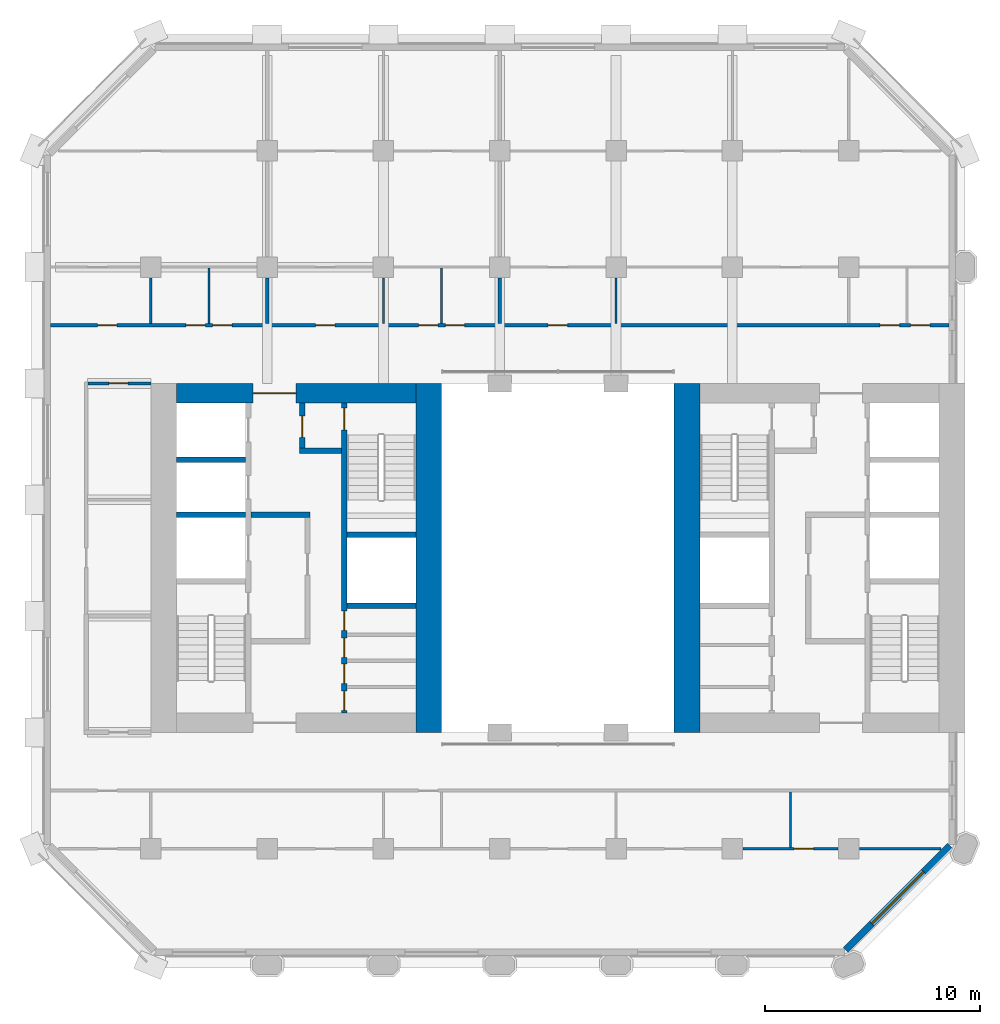
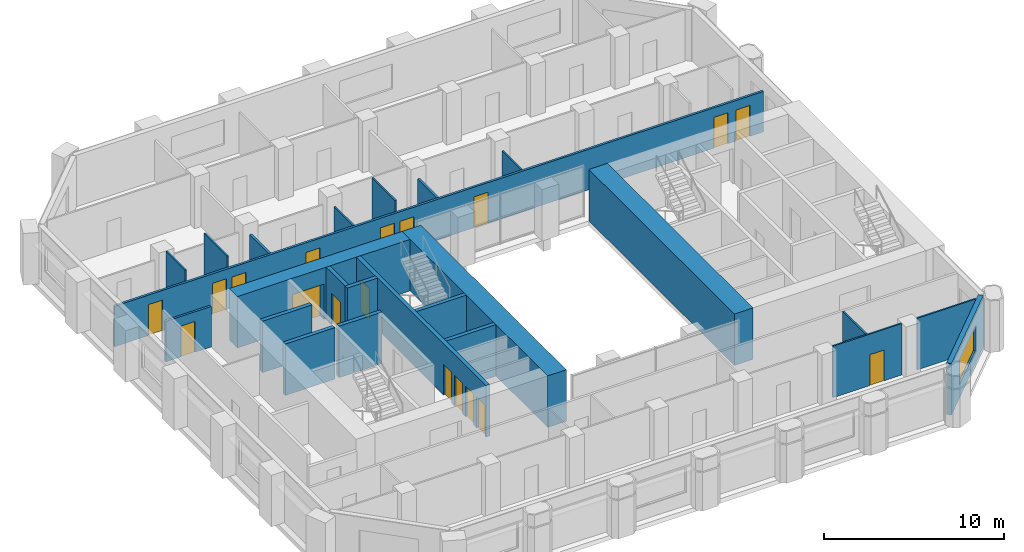
# One storey, part 7 of 13: 24 walls, 18 doors, 1 window, 19 openings.
"""IFC4 building model written with IfcOpenShell, lengths in metres."""

from ifc_helpers import new_model, si_unit, direction, frame, frame_2d, origin, place, context, subcontext, project, spatial, rectangle, extrude, material, layer, layer_set, type_object, element, fill, save


model = new_model("IFC4")

# Units and contexts
model_context = context("Model", 3, precision=1e-05, world=origin(), true_north=direction((0.0, 1.0)))
body_context = subcontext(model_context, "Body", "Model", "MODEL_VIEW")
ifc_project = project(units=[si_unit("LENGTHUNIT", "METRE"), si_unit("AREAUNIT", "SQUARE_METRE"), si_unit("VOLUMEUNIT", "CUBIC_METRE"), si_unit("PLANEANGLEUNIT", "RADIAN"), si_unit("MASSUNIT", "GRAM", prefix="KILO")], contexts=[model_context])

# Site, building, storey
site_placement = place(None, origin())
site = spatial("IfcSite", under=ifc_project, at=site_placement, CompositionType="ELEMENT")
building_placement = place(site_placement, origin())
building = spatial("IfcBuilding", under=site, at=building_placement, Name="Tabaq Tower and Sports Hall", CompositionType="ELEMENT")
storey_placement = place(building_placement, frame((0.0, 0.0, 103.0)))
storey = spatial("IfcBuildingStorey", under=building, at=storey_placement, Name="L24", CompositionType="ELEMENT", Elevation=103.0)

# Walls
ifc_material_1 = material(Name="Concrete C60/75", Category="concrete")
ifc_layer_1 = layer(ifc_material_1, 1.199951171875)
ifc_layer_set_1 = layer_set([ifc_layer_1], Name="Core wall 1200 Concrete C60/75")
wall_type_1 = type_object("IfcWallType", Name="Core wall 1200 Concrete C60/75", PredefinedType="SOLIDWALL", material=ifc_layer_set_1)
for number, where, z_axis, x_axis, name in (
    (1, (18.300048828125, 32.39990234375, 0.0), (0.0, 0.0, 1.0), (0.0, -1.0, 0.0), "Core wall W L24"),
    (2, (30.300048828125, 16.199951171875, 0.0), (0.0, 0.0, 1.0), (0.0, 1.0, 0.0), "Core wall E L24"),
):
    element("IfcWall", number, at=place(storey_placement, frame(where, z_axis=z_axis, x_axis=x_axis)), inside=storey, type_object=wall_type_1, Name=name, PredefinedType="SOLIDWALL", context=body_context, shape_type="SweptSolid", body=[
        extrude(rectangle(XDim=16.199951171875, YDim=1.199951171875, at=frame_2d((8.10009765625, 0.0))), origin(), (0.0, 0.0, 1.0), 3.5),
    ])

# Wall, opening, door
ifc_material_2 = material(Name="Concrete C60/75", Category="concrete")
ifc_layer_2 = layer(ifc_material_2, 0.89990234375)
ifc_layer_set_2 = layer_set([ifc_layer_2], Name="Core wall 900 Concrete C60/75")
wall_type_2 = type_object("IfcWallType", Name="Core wall 900 Concrete C60/75", PredefinedType="SOLIDWALL", material=ifc_layer_set_2)
wall_1_placement = place(storey_placement, frame((6.60009765625, 31.949951171875, 0.0), z_axis=(0.0, 0.0, 1.0), x_axis=(1.0, 0.0, 0.0)))
wall_1 = element("IfcWall", 3, at=wall_1_placement, inside=storey, type_object=wall_type_2, Name="Core wall W L24", PredefinedType="SOLIDWALL", context=body_context, shape_type="SweptSolid", body=[
    extrude(rectangle(XDim=11.099853515625, YDim=0.89990234375, at=frame_2d((5.5498046875, 0.0))), origin(), (0.0, 0.0, 1.0), 3.5),
])
opening_1_placement = place(wall_1_placement, frame((3.550048828125, 0.0, 0.0)))
opening_1 = element("IfcOpeningElement", 4, at=opening_1_placement, cuts=wall_1, Name="Opening PD-WL24-02", PredefinedType="OPENING", context=body_context, shape_type="SweptSolid", body=[
    extrude(rectangle(XDim=2.0, YDim=2.39990234375, at=frame_2d((1.0, 1.199951171875))), frame((0.0, 0.449951171875, 0.0), z_axis=(0.0, -1.0, 0.0), x_axis=(1.0, 0.0, 0.0)), (0.0, 0.0, 1.0), 0.89990234375),
])
ifc_material_3 = material(Name="Steel fire door", Category="steel")
door_type_1 = type_object("IfcDoorType", Name="Core entrance door 2000", OperationType="DOUBLE_DOOR_SINGLE_SWING", PredefinedType="DOOR", material=ifc_material_3)
door_1_placement = place(opening_1_placement, origin())
door_1 = element("IfcDoor", 5, at=door_1_placement, inside=storey, type_object=door_type_1, Name="Core entrance north W L24", OperationType="DOUBLE_DOOR_SINGLE_SWING", OverallHeight=2.39990234375, OverallWidth=2.0, PredefinedType="DOOR", context=body_context, shape_type="SweptSolid", body=[
    extrude(rectangle(XDim=2.0, YDim=2.39990234375, at=frame_2d((1.0, 1.199951171875))), frame((0.0, 0.02490234375, 0.0), z_axis=(0.0, -1.0, 0.0), x_axis=(1.0, 0.0, 0.0)), (0.0, 0.0, 1.0), 0.050048828125),
])
fill(opening_1, door_1)

# Walls
ifc_material_4 = material(Name="Gypsum board on steel studs", Category="steel")
ifc_layer_3 = layer(ifc_material_4, 0.10009765625)
ifc_layer_set_3 = layer_set([ifc_layer_3], Name="Partition 100 Gypsum board")
wall_type_3 = type_object("IfcWallType", Name="Partition 100 Gypsum board", PredefinedType="PARTITIONING", material=ifc_layer_set_3)
wall_2_placement = place(storey_placement, frame((5.39990234375, 35.175048828125, 0.0), z_axis=(0.0, 0.0, 1.0), x_axis=(0.0, 1.0, 0.0)))
element("IfcWall", 6, at=wall_2_placement, inside=storey, type_object=wall_type_3, Name="Partition wall L24", PredefinedType="PARTITIONING", context=body_context, shape_type="SweptSolid", body=[
    extrude(rectangle(XDim=2.1298828125, YDim=0.10009765625, at=frame_2d((1.06494140625, 0.0))), origin(), (0.0, 0.0, 1.0), 3.5),
])
wall_3_placement = place(storey_placement, frame((8.10009765625, 35.175048828125, 0.0), z_axis=(0.0, 0.0, 1.0), x_axis=(0.0, 1.0, 0.0)))
element("IfcWall", 7, at=wall_3_placement, inside=storey, type_object=wall_type_3, Name="Partition wall L24", PredefinedType="PARTITIONING", context=body_context, shape_type="SweptSolid", body=[
    extrude(rectangle(XDim=2.574951171875, YDim=0.10009765625, at=frame_2d((1.28759765625, 0.0))), origin(), (0.0, 0.0, 1.0), 3.5),
])
wall_4_placement = place(storey_placement, frame((16.199951171875, 35.175048828125, 0.0), z_axis=(0.0, 0.0, 1.0), x_axis=(0.0, 1.0, 0.0)))
element("IfcWall", 8, at=wall_4_placement, inside=storey, type_object=wall_type_3, Name="Partition wall L24", PredefinedType="PARTITIONING", context=body_context, shape_type="SweptSolid", body=[
    extrude(rectangle(XDim=2.1298828125, YDim=0.10009765625, at=frame_2d((1.06494140625, 0.0))), origin(), (0.0, 0.0, 1.0), 2.75),
])
wall_5_placement = place(storey_placement, frame((18.89990234375, 35.175048828125, 0.0), z_axis=(0.0, 0.0, 1.0), x_axis=(0.0, 1.0, 0.0)))
element("IfcWall", 9, at=wall_5_placement, inside=storey, type_object=wall_type_3, Name="Partition wall L24", PredefinedType="PARTITIONING", context=body_context, shape_type="SweptSolid", body=[
    extrude(rectangle(XDim=2.574951171875, YDim=0.10009765625, at=frame_2d((1.28759765625, 0.0))), origin(), (0.0, 0.0, 1.0), 3.5),
])
wall_6_placement = place(storey_placement, frame((27.0, 35.175048828125, 0.0), z_axis=(0.0, 0.0, 1.0), x_axis=(0.0, 1.0, 0.0)))
element("IfcWall", 10, at=wall_6_placement, inside=storey, type_object=wall_type_3, Name="Partition wall L24", PredefinedType="PARTITIONING", context=body_context, shape_type="SweptSolid", body=[
    extrude(rectangle(XDim=2.1298828125, YDim=0.10009765625, at=frame_2d((1.06494140625, 0.0))), origin(), (0.0, 0.0, 1.0), 2.75),
])
wall_7_placement = place(storey_placement, frame((35.10009765625, 10.85009765625, 0.0), z_axis=(0.0, 0.0, 1.0), x_axis=(0.0, 1.0, 0.0)))
element("IfcWall", 11, at=wall_7_placement, inside=storey, type_object=wall_type_3, Name="Partition wall L24", PredefinedType="PARTITIONING", context=body_context, shape_type="SweptSolid", body=[
    extrude(rectangle(XDim=2.574951171875, YDim=0.10009765625, at=frame_2d((1.28759765625, 0.0))), origin(), (0.0, 0.0, 1.0), 3.5),
])

# Wall, opening, door
wall_8_placement = place(storey_placement, frame((32.89501953125, 10.800048828125, 0.0), z_axis=(0.0, 0.0, 1.0), x_axis=(1.0, 0.0, 0.0)))
wall_8 = element("IfcWall", 12, at=wall_8_placement, inside=storey, type_object=wall_type_3, Name="Partition wall L24", PredefinedType="PARTITIONING", context=body_context, shape_type="SweptSolid", body=[
    extrude(rectangle(XDim=4.409912109375, YDim=0.10009765625, at=frame_2d((2.205078125, 0.0))), origin(), (0.0, 0.0, 1.0), 3.5),
])
opening_2_placement = place(wall_8_placement, frame((2.375, 0.0, 0.0)))
opening_2 = element("IfcOpeningElement", 13, at=opening_2_placement, cuts=wall_8, Name="Opening L24-021", PredefinedType="OPENING", context=body_context, shape_type="SweptSolid", body=[
    extrude(rectangle(XDim=0.89990234375, YDim=2.10009765625, at=frame_2d((0.449951171875, 1.050048828125))), frame((0.0, 0.050048828125, 0.0), z_axis=(0.0, -1.0, 0.0), x_axis=(1.0, 0.0, 0.0)), (0.0, 0.0, 1.0), 0.10009765625),
])
ifc_material_5 = material(Name="Timber leaf in steel frame", Category="steel")
door_type_2 = type_object("IfcDoorType", Name="Internal door 900 right hand", OperationType="SINGLE_SWING_RIGHT", PredefinedType="DOOR", material=ifc_material_5)
door_2_placement = place(opening_2_placement, origin())
door_2 = element("IfcDoor", 14, at=door_2_placement, inside=storey, type_object=door_type_2, Name="Internal door L24-021", OperationType="SINGLE_SWING_RIGHT", OverallHeight=2.10009765625, OverallWidth=0.89990234375, PredefinedType="DOOR", context=body_context, shape_type="SweptSolid", body=[
    extrude(rectangle(XDim=0.89990234375, YDim=2.10009765625, at=frame_2d((0.449951171875, 1.050048828125))), frame((0.0, 0.02490234375, 0.0), z_axis=(0.0, -1.0, 0.0), x_axis=(1.0, 0.0, 0.0)), (0.0, 0.0, 1.0), 0.050048828125),
])
fill(opening_2, door_2)

# Wall
wall_9_placement = place(storey_placement, frame((38.294921875, 10.800048828125, 0.0), z_axis=(0.0, 0.0, 1.0), x_axis=(1.0, 0.0, 0.0)))
element("IfcWall", 15, at=wall_9_placement, inside=storey, type_object=wall_type_3, Name="Partition wall L24", PredefinedType="PARTITIONING", context=body_context, shape_type="SweptSolid", body=[
    extrude(rectangle(XDim=3.79296875, YDim=0.10009765625, at=frame_2d((1.896484375, 0.0))), origin(), (0.0, 0.0, 1.0), 3.5),
])

# Wall, opening, door
ifc_material_6 = material(Name="Blockwork", Category="masonry")
ifc_layer_4 = layer(ifc_material_6, 0.14990234375)
ifc_layer_set_4 = layer_set([ifc_layer_4], Name="Separating wall 150 Blockwork")
wall_type_4 = type_object("IfcWallType", Name="Separating wall 150 Blockwork", PredefinedType="PARTITIONING", material=ifc_layer_set_4)
wall_10_placement = place(storey_placement, frame((2.47509765625, 32.39990234375, 0.0), z_axis=(0.0, 0.0, 1.0), x_axis=(1.0, 0.0, 0.0)))
wall_10 = element("IfcWall", 16, at=wall_10_placement, inside=storey, type_object=wall_type_4, Name="Separating wall L24", PredefinedType="PARTITIONING", context=body_context, shape_type="SweptSolid", body=[
    extrude(rectangle(XDim=2.9248046875, YDim=0.14990234375, at=frame_2d((1.46240234375, 0.0))), origin(), (0.0, 0.0, 1.0), 2.75),
])
opening_3_placement = place(wall_10_placement, frame((0.97509765625, 0.0, 0.0)))
opening_3 = element("IfcOpeningElement", 17, at=opening_3_placement, cuts=wall_10, Name="Opening L24-010", PredefinedType="OPENING", context=body_context, shape_type="SweptSolid", body=[
    extrude(rectangle(XDim=0.89990234375, YDim=2.10009765625, at=frame_2d((0.449951171875, 1.050048828125))), frame((0.0, 0.074951171875, 0.0), z_axis=(0.0, -1.0, 0.0), x_axis=(1.0, 0.0, 0.0)), (0.0, 0.0, 1.0), 0.14990234375),
])
door_3_placement = place(opening_3_placement, origin())
door_3 = element("IfcDoor", 18, at=door_3_placement, inside=storey, type_object=door_type_2, Name="Internal door L24-010", OperationType="SINGLE_SWING_RIGHT", OverallHeight=2.10009765625, OverallWidth=0.89990234375, PredefinedType="DOOR", context=body_context, shape_type="SweptSolid", body=[
    extrude(rectangle(XDim=0.89990234375, YDim=2.10009765625, at=frame_2d((0.449951171875, 1.050048828125))), frame((0.0, 0.02490234375, 0.0), z_axis=(0.0, -1.0, 0.0), x_axis=(1.0, 0.0, 0.0)), (0.0, 0.0, 1.0), 0.050048828125),
])
fill(opening_3, door_3)

# Wall, openings, doors
wall_11_placement = place(storey_placement, frame((42.448974609375, 35.10009765625, 0.0), z_axis=(0.0, 0.0, 1.0), x_axis=(-1.0, 0.0, 0.0)))
wall_11 = element("IfcWall", 19, at=wall_11_placement, inside=storey, type_object=wall_type_4, Name="Separating wall L24", PredefinedType="PARTITIONING", context=body_context, shape_type="SweptSolid", body=[
    extrude(rectangle(XDim=41.697998046875, YDim=0.14990234375, at=frame_2d((20.84912109375, 0.0))), origin(), (0.0, 0.0, 1.0), 2.75),
])
opening_4_placement = place(wall_11_placement, frame((34.51904296875, 0.0, 0.0)))
opening_4 = element("IfcOpeningElement", 20, at=opening_4_placement, cuts=wall_11, Name="Opening L24-001", PredefinedType="OPENING", context=body_context, shape_type="SweptSolid", body=[
    extrude(rectangle(XDim=0.89990234375, YDim=2.10009765625, at=frame_2d((0.449951171875, 1.050048828125))), frame((0.0, 0.074951171875, 0.0), z_axis=(0.0, -1.0, 0.0), x_axis=(1.0, 0.0, 0.0)), (0.0, 0.0, 1.0), 0.14990234375),
])
opening_5_placement = place(wall_11_placement, frame((33.279052734375, 0.0, 0.0)))
opening_5 = element("IfcOpeningElement", 21, at=opening_5_placement, cuts=wall_11, Name="Opening L24-002", PredefinedType="OPENING", context=body_context, shape_type="SweptSolid", body=[
    extrude(rectangle(XDim=0.89990234375, YDim=2.10009765625, at=frame_2d((0.449951171875, 1.050048828125))), frame((0.0, 0.074951171875, 0.0), z_axis=(0.0, -1.0, 0.0), x_axis=(1.0, 0.0, 0.0)), (0.0, 0.0, 1.0), 0.14990234375),
])
opening_6_placement = place(wall_11_placement, frame((23.718994140625, 0.0, 0.0)))
opening_6 = element("IfcOpeningElement", 22, at=opening_6_placement, cuts=wall_11, Name="Opening L24-003", PredefinedType="OPENING", context=body_context, shape_type="SweptSolid", body=[
    extrude(rectangle(XDim=0.89990234375, YDim=2.10009765625, at=frame_2d((0.449951171875, 1.050048828125))), frame((0.0, 0.074951171875, 0.0), z_axis=(0.0, -1.0, 0.0), x_axis=(1.0, 0.0, 0.0)), (0.0, 0.0, 1.0), 0.14990234375),
])
opening_7_placement = place(wall_11_placement, frame((22.47900390625, 0.0, 0.0)))
opening_7 = element("IfcOpeningElement", 23, at=opening_7_placement, cuts=wall_11, Name="Opening L24-004", PredefinedType="OPENING", context=body_context, shape_type="SweptSolid", body=[
    extrude(rectangle(XDim=0.89990234375, YDim=2.10009765625, at=frame_2d((0.449951171875, 1.050048828125))), frame((0.0, 0.074951171875, 0.0), z_axis=(0.0, -1.0, 0.0), x_axis=(1.0, 0.0, 0.0)), (0.0, 0.0, 1.0), 0.14990234375),
])
opening_8_placement = place(wall_11_placement, frame((2.28662109375, 0.0, 0.0)))
opening_8 = element("IfcOpeningElement", 24, at=opening_8_placement, cuts=wall_11, Name="Opening L24-005", PredefinedType="OPENING", context=body_context, shape_type="SweptSolid", body=[
    extrude(rectangle(XDim=0.89990234375, YDim=2.10009765625, at=frame_2d((0.449951171875, 1.050048828125))), frame((0.0, 0.074951171875, 0.0), z_axis=(0.0, -1.0, 0.0), x_axis=(1.0, 0.0, 0.0)), (0.0, 0.0, 1.0), 0.14990234375),
])
opening_9_placement = place(wall_11_placement, frame((0.87890625, 0.0, 0.0)))
opening_9 = element("IfcOpeningElement", 25, at=opening_9_placement, cuts=wall_11, Name="Opening L24-006", PredefinedType="OPENING", context=body_context, shape_type="SweptSolid", body=[
    extrude(rectangle(XDim=0.89990234375, YDim=2.10009765625, at=frame_2d((0.449951171875, 1.050048828125))), frame((0.0, 0.074951171875, 0.0), z_axis=(0.0, -1.0, 0.0), x_axis=(1.0, 0.0, 0.0)), (0.0, 0.0, 1.0), 0.14990234375),
])
opening_10_placement = place(wall_11_placement, frame((38.6240234375, 0.0, 0.0)))
opening_10 = element("IfcOpeningElement", 26, at=opening_10_placement, cuts=wall_11, Name="Opening L24-022", PredefinedType="OPENING", context=body_context, shape_type="SweptSolid", body=[
    extrude(rectangle(XDim=0.89990234375, YDim=2.10009765625, at=frame_2d((0.449951171875, 1.050048828125))), frame((0.0, 0.074951171875, 0.0), z_axis=(0.0, -1.0, 0.0), x_axis=(1.0, 0.0, 0.0)), (0.0, 0.0, 1.0), 0.14990234375),
])
opening_11_placement = place(wall_11_placement, frame((28.4990234375, 0.0, 0.0)))
opening_11 = element("IfcOpeningElement", 27, at=opening_11_placement, cuts=wall_11, Name="Opening L24-023", PredefinedType="OPENING", context=body_context, shape_type="SweptSolid", body=[
    extrude(rectangle(XDim=0.89990234375, YDim=2.10009765625, at=frame_2d((0.449951171875, 1.050048828125))), frame((0.0, 0.074951171875, 0.0), z_axis=(0.0, -1.0, 0.0), x_axis=(1.0, 0.0, 0.0)), (0.0, 0.0, 1.0), 0.14990234375),
])
opening_12_placement = place(wall_11_placement, frame((17.698974609375, 0.0, 0.0)))
opening_12 = element("IfcOpeningElement", 28, at=opening_12_placement, cuts=wall_11, Name="Opening L24-024", PredefinedType="OPENING", context=body_context, shape_type="SweptSolid", body=[
    extrude(rectangle(XDim=0.89990234375, YDim=2.10009765625, at=frame_2d((0.449951171875, 1.050048828125))), frame((0.0, 0.074951171875, 0.0), z_axis=(0.0, -1.0, 0.0), x_axis=(1.0, 0.0, 0.0)), (0.0, 0.0, 1.0), 0.14990234375),
])
ifc_material_7 = material(Name="Steel fire door", Category="steel")
door_type_3 = type_object("IfcDoorType", Name="Entrance door 900 left hand", OperationType="SINGLE_SWING_LEFT", PredefinedType="DOOR", material=ifc_material_7)
door_4_placement = place(opening_4_placement, origin())
door_4 = element("IfcDoor", 29, at=door_4_placement, inside=storey, type_object=door_type_3, Name="Entrance door L24-001", OperationType="SINGLE_SWING_LEFT", OverallHeight=2.10009765625, OverallWidth=0.89990234375, PredefinedType="DOOR", context=body_context, shape_type="SweptSolid", body=[
    extrude(rectangle(XDim=0.89990234375, YDim=2.10009765625, at=frame_2d((0.449951171875, 1.050048828125))), frame((0.0, 0.02490234375, 0.0), z_axis=(0.0, -1.0, 0.0), x_axis=(1.0, 0.0, 0.0)), (0.0, 0.0, 1.0), 0.050048828125),
])
fill(opening_4, door_4)
door_5_placement = place(opening_5_placement, origin())
door_5 = element("IfcDoor", 30, at=door_5_placement, inside=storey, type_object=door_type_3, Name="Entrance door L24-002", OperationType="SINGLE_SWING_LEFT", OverallHeight=2.10009765625, OverallWidth=0.89990234375, PredefinedType="DOOR", context=body_context, shape_type="SweptSolid", body=[
    extrude(rectangle(XDim=0.89990234375, YDim=2.10009765625, at=frame_2d((0.449951171875, 1.050048828125))), frame((0.0, 0.02490234375, 0.0), z_axis=(0.0, -1.0, 0.0), x_axis=(1.0, 0.0, 0.0)), (0.0, 0.0, 1.0), 0.050048828125),
])
fill(opening_5, door_5)
door_6_placement = place(opening_6_placement, origin())
door_6 = element("IfcDoor", 31, at=door_6_placement, inside=storey, type_object=door_type_3, Name="Entrance door L24-003", OperationType="SINGLE_SWING_LEFT", OverallHeight=2.10009765625, OverallWidth=0.89990234375, PredefinedType="DOOR", context=body_context, shape_type="SweptSolid", body=[
    extrude(rectangle(XDim=0.89990234375, YDim=2.10009765625, at=frame_2d((0.449951171875, 1.050048828125))), frame((0.0, 0.02490234375, 0.0), z_axis=(0.0, -1.0, 0.0), x_axis=(1.0, 0.0, 0.0)), (0.0, 0.0, 1.0), 0.050048828125),
])
fill(opening_6, door_6)
door_7_placement = place(opening_7_placement, origin())
door_7 = element("IfcDoor", 32, at=door_7_placement, inside=storey, type_object=door_type_3, Name="Entrance door L24-004", OperationType="SINGLE_SWING_LEFT", OverallHeight=2.10009765625, OverallWidth=0.89990234375, PredefinedType="DOOR", context=body_context, shape_type="SweptSolid", body=[
    extrude(rectangle(XDim=0.89990234375, YDim=2.10009765625, at=frame_2d((0.449951171875, 1.050048828125))), frame((0.0, 0.02490234375, 0.0), z_axis=(0.0, -1.0, 0.0), x_axis=(1.0, 0.0, 0.0)), (0.0, 0.0, 1.0), 0.050048828125),
])
fill(opening_7, door_7)
door_8_placement = place(opening_8_placement, origin())
door_8 = element("IfcDoor", 33, at=door_8_placement, inside=storey, type_object=door_type_3, Name="Entrance door L24-005", OperationType="SINGLE_SWING_LEFT", OverallHeight=2.10009765625, OverallWidth=0.89990234375, PredefinedType="DOOR", context=body_context, shape_type="SweptSolid", body=[
    extrude(rectangle(XDim=0.89990234375, YDim=2.10009765625, at=frame_2d((0.449951171875, 1.050048828125))), frame((0.0, 0.02490234375, 0.0), z_axis=(0.0, -1.0, 0.0), x_axis=(1.0, 0.0, 0.0)), (0.0, 0.0, 1.0), 0.050048828125),
])
fill(opening_8, door_8)
door_9_placement = place(opening_9_placement, origin())
door_9 = element("IfcDoor", 34, at=door_9_placement, inside=storey, type_object=door_type_3, Name="Entrance door L24-006", OperationType="SINGLE_SWING_LEFT", OverallHeight=2.10009765625, OverallWidth=0.89990234375, PredefinedType="DOOR", context=body_context, shape_type="SweptSolid", body=[
    extrude(rectangle(XDim=0.89990234375, YDim=2.10009765625, at=frame_2d((0.449951171875, 1.050048828125))), frame((0.0, 0.02490234375, 0.0), z_axis=(0.0, -1.0, 0.0), x_axis=(1.0, 0.0, 0.0)), (0.0, 0.0, 1.0), 0.050048828125),
])
fill(opening_9, door_9)
door_10_placement = place(opening_10_placement, origin())
door_10 = element("IfcDoor", 35, at=door_10_placement, inside=storey, type_object=door_type_3, Name="Entrance door L24-022", OperationType="SINGLE_SWING_LEFT", OverallHeight=2.10009765625, OverallWidth=0.89990234375, PredefinedType="DOOR", context=body_context, shape_type="SweptSolid", body=[
    extrude(rectangle(XDim=0.89990234375, YDim=2.10009765625, at=frame_2d((0.449951171875, 1.050048828125))), frame((0.0, 0.02490234375, 0.0), z_axis=(0.0, -1.0, 0.0), x_axis=(1.0, 0.0, 0.0)), (0.0, 0.0, 1.0), 0.050048828125),
])
fill(opening_10, door_10)
door_11_placement = place(opening_11_placement, origin())
door_11 = element("IfcDoor", 36, at=door_11_placement, inside=storey, type_object=door_type_3, Name="Entrance door L24-023", OperationType="SINGLE_SWING_LEFT", OverallHeight=2.10009765625, OverallWidth=0.89990234375, PredefinedType="DOOR", context=body_context, shape_type="SweptSolid", body=[
    extrude(rectangle(XDim=0.89990234375, YDim=2.10009765625, at=frame_2d((0.449951171875, 1.050048828125))), frame((0.0, 0.02490234375, 0.0), z_axis=(0.0, -1.0, 0.0), x_axis=(1.0, 0.0, 0.0)), (0.0, 0.0, 1.0), 0.050048828125),
])
fill(opening_11, door_11)
door_12_placement = place(opening_12_placement, origin())
door_12 = element("IfcDoor", 37, at=door_12_placement, inside=storey, type_object=door_type_3, Name="Entrance door L24-024", OperationType="SINGLE_SWING_LEFT", OverallHeight=2.10009765625, OverallWidth=0.89990234375, PredefinedType="DOOR", context=body_context, shape_type="SweptSolid", body=[
    extrude(rectangle(XDim=0.89990234375, YDim=2.10009765625, at=frame_2d((0.449951171875, 1.050048828125))), frame((0.0, 0.02490234375, 0.0), z_axis=(0.0, -1.0, 0.0), x_axis=(1.0, 0.0, 0.0)), (0.0, 0.0, 1.0), 0.050048828125),
])
fill(opening_12, door_12)

# Walls
for number, where, z_axis, x_axis, name in (
    (38, (10.800048828125, 35.175048828125, 0.0), (0.0, 0.0, 1.0), (0.0, 1.0, 0.0), "Separating wall L24"),
    (39, (21.60009765625, 35.175048828125, 0.0), (0.0, 0.0, 1.0), (0.0, 1.0, 0.0), "Separating wall L24"),
):
    element("IfcWall", number, at=place(storey_placement, frame(where, z_axis=z_axis, x_axis=x_axis)), inside=storey, type_object=wall_type_4, Name=name, PredefinedType="PARTITIONING", context=body_context, shape_type="SweptSolid", body=[
        extrude(rectangle(XDim=2.1298828125, YDim=0.14990234375, at=frame_2d((1.06494140625, 0.0))), origin(), (0.0, 0.0, 1.0), 2.75),
    ])

# Wall, openings, doors
ifc_material_8 = material(Name="Concrete C40/50", Category="concrete")
ifc_layer_5 = layer(ifc_material_8, 0.25)
ifc_layer_set_5 = layer_set([ifc_layer_5], Name="Shaft and stair wall 250 Concrete C40/50")
wall_type_5 = type_object("IfcWallType", Name="Shaft and stair wall 250 Concrete C40/50", PredefinedType="SOLIDWALL", material=ifc_layer_set_5)
wall_12_placement = place(storey_placement, frame((14.375, 17.10009765625, 0.0), z_axis=(0.0, 0.0, 1.0), x_axis=(0.0, 1.0, 0.0)))
wall_12 = element("IfcWall", 40, at=wall_12_placement, inside=storey, type_object=wall_type_5, Name="Shaft wall W L24", PredefinedType="SOLIDWALL", context=body_context, shape_type="SweptSolid", body=[
    extrude(rectangle(XDim=14.39990234375, YDim=0.25, at=frame_2d((7.199951171875, 0.0))), origin(), (0.0, 0.0, 1.0), 3.5),
])
opening_13_placement = place(wall_12_placement, frame((13.14990234375, 0.0, 0.0)))
opening_13 = element("IfcOpeningElement", 41, at=opening_13_placement, cuts=wall_12, Name="Opening SD-WL24-05", PredefinedType="OPENING", context=body_context, shape_type="SweptSolid", body=[
    extrude(rectangle(XDim=1.0, YDim=2.10009765625, at=frame_2d((0.5, 1.050048828125))), frame((0.0, 0.125, 0.0), z_axis=(0.0, -1.0, 0.0), x_axis=(1.0, 0.0, 0.0)), (0.0, 0.0, 1.0), 0.25),
])
opening_14_placement = place(wall_12_placement, frame((0.118408203125, 0.0, 0.0)))
opening_14 = element("IfcOpeningElement", 42, at=opening_14_placement, cuts=wall_12, Name="Opening RD-WL24-10", PredefinedType="OPENING", context=body_context, shape_type="SweptSolid", body=[
    extrude(rectangle(XDim=0.89990234375, YDim=2.10009765625, at=frame_2d((0.449951171875, 1.050048828125))), frame((0.0, 0.125, 0.0), z_axis=(0.0, -1.0, 0.0), x_axis=(1.0, 0.0, 0.0)), (0.0, 0.0, 1.0), 0.25),
])
opening_15_placement = place(wall_12_placement, frame((1.368408203125, 0.0, 0.0)))
opening_15 = element("IfcOpeningElement", 43, at=opening_15_placement, cuts=wall_12, Name="Opening RD-WL24-11", PredefinedType="OPENING", context=body_context, shape_type="SweptSolid", body=[
    extrude(rectangle(XDim=0.89990234375, YDim=2.10009765625, at=frame_2d((0.449951171875, 1.050048828125))), frame((0.0, 0.125, 0.0), z_axis=(0.0, -1.0, 0.0), x_axis=(1.0, 0.0, 0.0)), (0.0, 0.0, 1.0), 0.25),
])
opening_16_placement = place(wall_12_placement, frame((2.5810546875, 0.0, 0.0)))
opening_16 = element("IfcOpeningElement", 44, at=opening_16_placement, cuts=wall_12, Name="Opening RD-WL24-12", PredefinedType="OPENING", context=body_context, shape_type="SweptSolid", body=[
    extrude(rectangle(XDim=0.89990234375, YDim=2.10009765625, at=frame_2d((0.449951171875, 1.050048828125))), frame((0.0, 0.125, 0.0), z_axis=(0.0, -1.0, 0.0), x_axis=(1.0, 0.0, 0.0)), (0.0, 0.0, 1.0), 0.25),
])
opening_17_placement = place(wall_12_placement, frame((3.8310546875, 0.0, 0.0)))
opening_17 = element("IfcOpeningElement", 45, at=opening_17_placement, cuts=wall_12, Name="Opening RD-WL24-13", PredefinedType="OPENING", context=body_context, shape_type="SweptSolid", body=[
    extrude(rectangle(XDim=0.89990234375, YDim=2.10009765625, at=frame_2d((0.449951171875, 1.050048828125))), frame((0.0, 0.125, 0.0), z_axis=(0.0, -1.0, 0.0), x_axis=(1.0, 0.0, 0.0)), (0.0, 0.0, 1.0), 0.25),
])
ifc_material_9 = material(Name="Steel fire door", Category="steel")
door_type_4 = type_object("IfcDoorType", Name="Core room door 900", OperationType="SINGLE_SWING_LEFT", PredefinedType="DOOR", material=ifc_material_9)
door_13_placement = place(opening_14_placement, origin())
door_13 = element("IfcDoor", 46, at=door_13_placement, inside=storey, type_object=door_type_4, Name="Door Cleaner's Store W L24", OperationType="SINGLE_SWING_LEFT", OverallHeight=2.10009765625, OverallWidth=0.89990234375, PredefinedType="DOOR", context=body_context, shape_type="SweptSolid", body=[
    extrude(rectangle(XDim=0.89990234375, YDim=2.10009765625, at=frame_2d((0.449951171875, 1.050048828125))), frame((0.0, 0.02490234375, 0.0), z_axis=(0.0, -1.0, 0.0), x_axis=(1.0, 0.0, 0.0)), (0.0, 0.0, 1.0), 0.050048828125),
])
fill(opening_14, door_13)
door_14_placement = place(opening_15_placement, origin())
door_14 = element("IfcDoor", 47, at=door_14_placement, inside=storey, type_object=door_type_4, Name="Door Gents WC W L24", OperationType="SINGLE_SWING_LEFT", OverallHeight=2.10009765625, OverallWidth=0.89990234375, PredefinedType="DOOR", context=body_context, shape_type="SweptSolid", body=[
    extrude(rectangle(XDim=0.89990234375, YDim=2.10009765625, at=frame_2d((0.449951171875, 1.050048828125))), frame((0.0, 0.02490234375, 0.0), z_axis=(0.0, -1.0, 0.0), x_axis=(1.0, 0.0, 0.0)), (0.0, 0.0, 1.0), 0.050048828125),
])
fill(opening_15, door_14)
door_15_placement = place(opening_16_placement, origin())
door_15 = element("IfcDoor", 48, at=door_15_placement, inside=storey, type_object=door_type_4, Name="Door Ladies WC W L24", OperationType="SINGLE_SWING_LEFT", OverallHeight=2.10009765625, OverallWidth=0.89990234375, PredefinedType="DOOR", context=body_context, shape_type="SweptSolid", body=[
    extrude(rectangle(XDim=0.89990234375, YDim=2.10009765625, at=frame_2d((0.449951171875, 1.050048828125))), frame((0.0, 0.02490234375, 0.0), z_axis=(0.0, -1.0, 0.0), x_axis=(1.0, 0.0, 0.0)), (0.0, 0.0, 1.0), 0.050048828125),
])
fill(opening_16, door_15)
door_16_placement = place(opening_17_placement, origin())
door_16 = element("IfcDoor", 49, at=door_16_placement, inside=storey, type_object=door_type_4, Name="Door Accessible WC W L24", OperationType="SINGLE_SWING_LEFT", OverallHeight=2.10009765625, OverallWidth=0.89990234375, PredefinedType="DOOR", context=body_context, shape_type="SweptSolid", body=[
    extrude(rectangle(XDim=0.89990234375, YDim=2.10009765625, at=frame_2d((0.449951171875, 1.050048828125))), frame((0.0, 0.02490234375, 0.0), z_axis=(0.0, -1.0, 0.0), x_axis=(1.0, 0.0, 0.0)), (0.0, 0.0, 1.0), 0.050048828125),
])
fill(opening_17, door_16)
ifc_material_10 = material(Name="Steel fire door", Category="steel")
door_type_5 = type_object("IfcDoorType", Name="Stair door 1000", OperationType="SINGLE_SWING_LEFT", PredefinedType="DOOR", material=ifc_material_10)
door_17_placement = place(opening_13_placement, origin())
door_17 = element("IfcDoor", 50, at=door_17_placement, inside=storey, type_object=door_type_5, Name="Stair door ST2 W L24", OperationType="SINGLE_SWING_LEFT", OverallHeight=2.10009765625, OverallWidth=1.0, PredefinedType="DOOR", context=body_context, shape_type="SweptSolid", body=[
    extrude(rectangle(XDim=1.0, YDim=2.10009765625, at=frame_2d((0.5, 1.050048828125))), frame((0.0, 0.02490234375, 0.0), z_axis=(0.0, -1.0, 0.0), x_axis=(1.0, 0.0, 0.0)), (0.0, 0.0, 1.0), 0.050048828125),
])
fill(opening_13, door_17)

# Walls
for number, where, z_axis, x_axis, name in (
    (51, (14.5, 25.375, 0.0), (0.0, 0.0, 1.0), (1.0, 0.0, 0.0), "Stair enclosure wall W L24"),
    (52, (14.5, 22.074951171875, 0.0), (0.0, 0.0, 1.0), (1.0, 0.0, 0.0), "Shaft wall W L24"),
    (53, (6.60009765625, 26.300048828125, 0.0), (0.0, 0.0, 1.0), (1.0, 0.0, 0.0), "Shaft wall W L24"),
):
    element("IfcWall", number, at=place(storey_placement, frame(where, z_axis=z_axis, x_axis=x_axis)), inside=storey, type_object=wall_type_5, Name=name, PredefinedType="SOLIDWALL", context=body_context, shape_type="SweptSolid", body=[
        extrude(rectangle(XDim=3.199951171875, YDim=0.25, at=frame_2d((1.60009765625, 0.0))), origin(), (0.0, 0.0, 1.0), 3.5),
    ])
wall_13_placement = place(storey_placement, frame((10.050048828125, 26.300048828125, 0.0), z_axis=(0.0, 0.0, 1.0), x_axis=(1.0, 0.0, 0.0)))
element("IfcWall", 54, at=wall_13_placement, inside=storey, type_object=wall_type_5, Name="Fire-fighting lobby wall W L24", PredefinedType="SOLIDWALL", context=body_context, shape_type="SweptSolid", body=[
    extrude(rectangle(XDim=2.75, YDim=0.25, at=frame_2d((1.375, 0.0))), origin(), (0.0, 0.0, 1.0), 3.5),
])

# Wall, opening, door
wall_14_placement = place(storey_placement, frame((12.425048828125, 29.39990234375, 0.0), z_axis=(0.0, 0.0, 1.0), x_axis=(0.0, 1.0, 0.0)))
wall_14 = element("IfcWall", 55, at=wall_14_placement, inside=storey, type_object=wall_type_5, Name="Fire-fighting lobby wall W L24", PredefinedType="SOLIDWALL", context=body_context, shape_type="SweptSolid", body=[
    extrude(rectangle(XDim=2.10009765625, YDim=0.25, at=frame_2d((1.050048828125, 0.0))), origin(), (0.0, 0.0, 1.0), 3.5),
])
opening_18_placement = place(wall_14_placement, frame((0.5, 0.0, 0.0)))
opening_18 = element("IfcOpeningElement", 56, at=opening_18_placement, cuts=wall_14, Name="Opening FD-WL24-06", PredefinedType="OPENING", context=body_context, shape_type="SweptSolid", body=[
    extrude(rectangle(XDim=1.0, YDim=2.10009765625, at=frame_2d((0.5, 1.050048828125))), frame((0.0, 0.125, 0.0), z_axis=(0.0, -1.0, 0.0), x_axis=(1.0, 0.0, 0.0)), (0.0, 0.0, 1.0), 0.25),
])
ifc_material_11 = material(Name="Steel fire door", Category="steel")
door_type_6 = type_object("IfcDoorType", Name="Fire-fighting lobby door 1000", OperationType="SINGLE_SWING_LEFT", PredefinedType="DOOR", material=ifc_material_11)
door_18_placement = place(opening_18_placement, origin())
door_18 = element("IfcDoor", 57, at=door_18_placement, inside=storey, type_object=door_type_6, Name="Stair lobby door W L24", OperationType="SINGLE_SWING_LEFT", OverallHeight=2.10009765625, OverallWidth=1.0, PredefinedType="DOOR", context=body_context, shape_type="SweptSolid", body=[
    extrude(rectangle(XDim=1.0, YDim=2.10009765625, at=frame_2d((0.5, 1.050048828125))), frame((0.0, 0.02490234375, 0.0), z_axis=(0.0, -1.0, 0.0), x_axis=(1.0, 0.0, 0.0)), (0.0, 0.0, 1.0), 0.050048828125),
])
fill(opening_18, door_18)

# Walls
wall_15_placement = place(storey_placement, frame((12.300048828125, 29.27490234375, 0.0), z_axis=(0.0, 0.0, 1.0), x_axis=(1.0, 0.0, 0.0)))
element("IfcWall", 58, at=wall_15_placement, inside=storey, type_object=wall_type_5, Name="Fire-fighting lobby wall W L24", PredefinedType="SOLIDWALL", context=body_context, shape_type="SweptSolid", body=[
    extrude(rectangle(XDim=1.949951171875, YDim=0.25, at=frame_2d((0.97509765625, 0.0))), origin(), (0.0, 0.0, 1.0), 3.5),
])
wall_16_placement = place(storey_placement, frame((6.60009765625, 28.85009765625, 0.0), z_axis=(0.0, 0.0, 1.0), x_axis=(1.0, 0.0, 0.0)))
element("IfcWall", 59, at=wall_16_placement, inside=storey, type_object=wall_type_5, Name="Shaft wall W L24", PredefinedType="SOLIDWALL", context=body_context, shape_type="SweptSolid", body=[
    extrude(rectangle(XDim=3.199951171875, YDim=0.25, at=frame_2d((1.60009765625, 0.0))), origin(), (0.0, 0.0, 1.0), 3.5),
])

# Wall, opening, window
ifc_material_12 = material(Name="White precast concrete C60/75", Category="concrete")
ifc_layer_6 = layer(ifc_material_12, 0.300048828125)
ifc_layer_set_6 = layer_set([ifc_layer_6], Name="White precast concrete C60/75 external wall 300")
wall_type_6 = type_object("IfcWallType", Name="White precast concrete C60/75 external wall 300", PredefinedType="SOLIDWALL", material=ifc_layer_set_6)
wall_17_placement = place(storey_placement, frame((37.650390625, 6.098876953125, 0.0), z_axis=(0.0, 0.0, 1.0), x_axis=(0.707106781187, 0.707106781187, 0.0)))
wall_17 = element("IfcWall", 60, at=wall_17_placement, inside=storey, type_object=wall_type_6, Name="External Wall L24 SE", PredefinedType="SOLIDWALL", context=body_context, shape_type="SweptSolid", body=[
    extrude(rectangle(XDim=6.85986328125, YDim=0.300048828125, at=frame_2d((3.429931640625, 0.0))), origin(), (0.0, 0.0, 1.0), 3.5),
])
opening_19_placement = place(wall_17_placement, frame((1.729736328125, 0.0, 0.89990234375)))
opening_19 = element("IfcOpeningElement", 61, at=opening_19_placement, cuts=wall_17, Name="Opening W1A", PredefinedType="OPENING", context=body_context, shape_type="SweptSolid", body=[
    extrude(rectangle(XDim=3.39990234375, YDim=1.699951171875, at=frame_2d((1.699951171875, 0.85009765625))), frame((0.0, 0.16015625, 0.0), z_axis=(0.0, -1.0, 0.0), x_axis=(1.0, 0.0, 0.0)), (0.0, 0.0, 1.0), 0.320068359375),
])
ifc_material_13 = material(Name="Aluminium framed clear glazing", Category="aluminium")
window_type = type_object("IfcWindowType", Name="Window W1A", PartitioningType="SINGLE_PANEL", PredefinedType="WINDOW", material=ifc_material_13)
window_placement = place(opening_19_placement, origin())
window = element("IfcWindow", 62, at=window_placement, inside=storey, type_object=window_type, Name="Window W1A L24", OverallHeight=1.699951171875, OverallWidth=3.39990234375, PartitioningType="SINGLE_PANEL", PredefinedType="WINDOW", context=body_context, shape_type="SweptSolid", body=[
    extrude(rectangle(XDim=3.39990234375, YDim=1.699951171875, at=frame_2d((1.699951171875, 0.85009765625))), frame((0.0, 0.030029296875, 0.0), z_axis=(0.0, -1.0, 0.0), x_axis=(1.0, 0.0, 0.0)), (0.0, 0.0, 1.0), 0.06005859375),
])
fill(opening_19, window)

save(model, "model.ifc")
